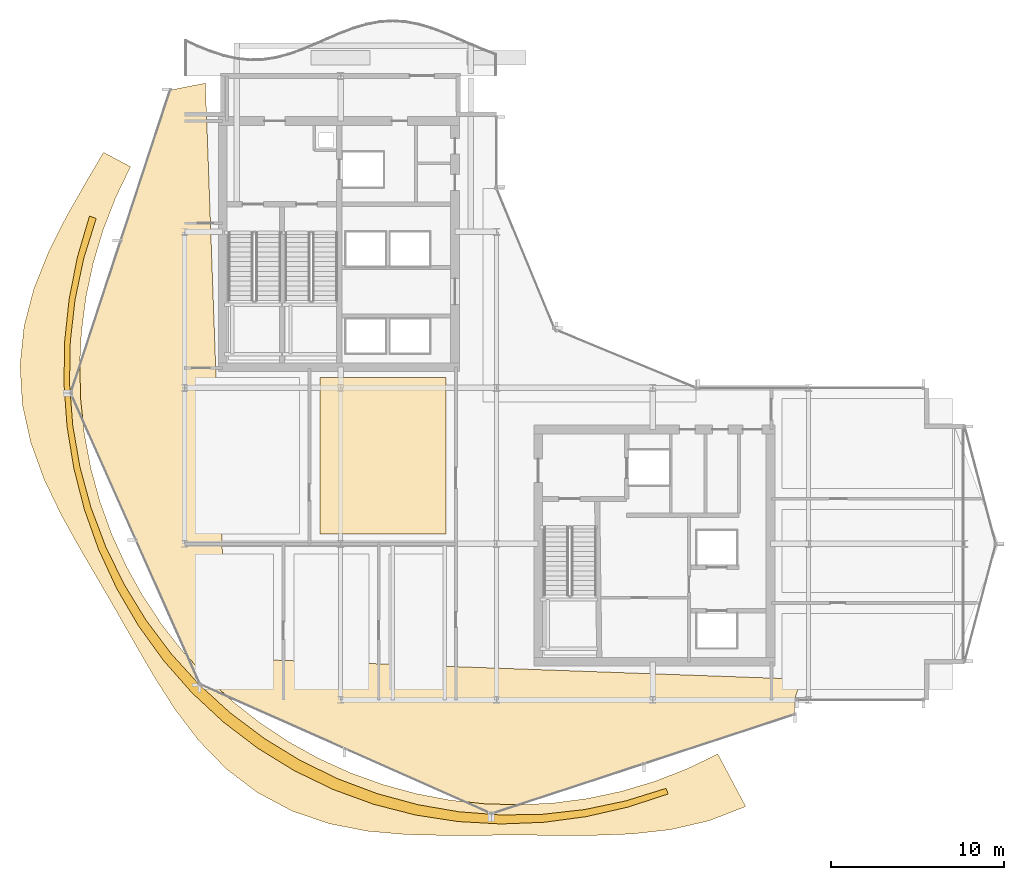
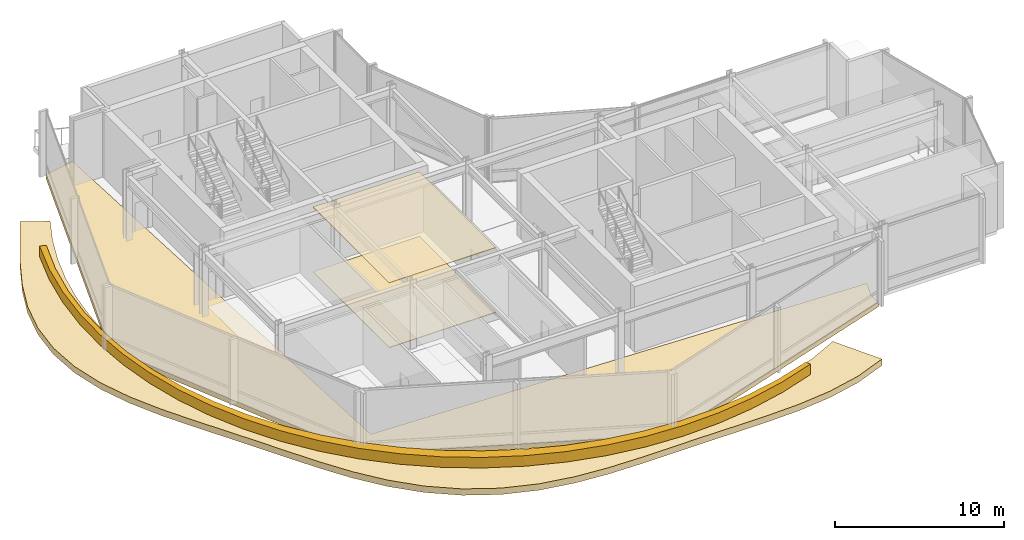
# One storey, part 25 of 29: 5 coverings.
"""IFC4 building model written with IfcOpenShell, lengths in metres."""

from ifc_helpers import new_model, si_unit, direction, frame, origin, place, context, subcontext, project, spatial, polyline, outline, extrude, material, layer, layer_set, type_object, element, save


model = new_model("IFC4")

# Units and contexts
model_context = context("Model", 3, precision=1e-05, world=origin(), true_north=direction((0.0, 1.0)))
body_context = subcontext(model_context, "Body", "Model", "MODEL_VIEW")
ifc_project = project(units=[si_unit("LENGTHUNIT", "METRE"), si_unit("AREAUNIT", "SQUARE_METRE"), si_unit("VOLUMEUNIT", "CUBIC_METRE"), si_unit("PLANEANGLEUNIT", "RADIAN"), si_unit("MASSUNIT", "GRAM", prefix="KILO")], contexts=[model_context])

# Site, building, storey
site_placement = place(None, origin())
site = spatial("IfcSite", under=ifc_project, at=site_placement, CompositionType="ELEMENT")
building_placement = place(site_placement, origin())
building = spatial("IfcBuilding", under=site, at=building_placement, Name="Solvaryn Broadcast Tower", CompositionType="ELEMENT")
storey_placement = place(building_placement, frame((0.0, 0.0, 169.199951171875)))
storey = spatial("IfcBuildingStorey", under=building, at=storey_placement, Name="L42", CompositionType="ELEMENT", Elevation=169.199951171875)

# Coverings
ifc_material_1 = material(Name="Micro-Perforated Acoustic Gypsum Ceiling", Category="concrete")
ifc_layer_1 = layer(ifc_material_1, 0.0400390625)
ifc_layer_set_1 = layer_set([ifc_layer_1], Name="CV-CEIL-ACOUSTIC")
covering_type_1 = type_object("IfcCoveringType", Name="CV-CEIL-ACOUSTIC", PredefinedType="CEILING", material=ifc_layer_set_1)
covering_1_placement = place(storey_placement, frame((0.0, 0.0, 4.679931640625)))
element("IfcCovering", 1, at=covering_1_placement, inside=storey, type_object=covering_type_1, Name="L42 Room Acoustic Ceiling 2", PredefinedType="CEILING", context=body_context, shape_type="SweptSolid", body=[
    extrude(outline(polyline([(16.800048828125, 18.570068359375), (24.080078125, 18.570068359375), (24.080078125, 27.60009765625), (16.800048828125, 27.60009765625), (16.800048828125, 18.570068359375)])), origin(), (0.0, 0.0, 1.0), 0.0400390625),
])
ifc_material_2 = material(Name="Newsroom Raised Data Access Flooring", Category="steel")
ifc_layer_2 = layer(ifc_material_2, 0.050048828125)
ifc_layer_set_2 = layer_set([ifc_layer_2], Name="CV-FLOOR-RAISED")
covering_type_2 = type_object("IfcCoveringType", Name="CV-FLOOR-RAISED", PredefinedType="FLOORING", material=ifc_layer_set_2)
covering_2_placement = place(storey_placement, origin())
element("IfcCovering", 2, at=covering_2_placement, inside=storey, type_object=covering_type_2, Name="L42 Room Acoustic Floor Finish 2", PredefinedType="FLOORING", context=body_context, shape_type="SweptSolid", body=[
    extrude(outline(polyline([(16.800048828125, 18.570068359375), (24.080078125, 18.570068359375), (24.080078125, 27.60009765625), (16.800048828125, 27.60009765625), (16.800048828125, 18.570068359375)])), origin(), (0.0, 0.0, 1.0), 0.050048828125),
])
ifc_material_3 = material(Name="Glazed Architectural Terracotta Rainscreen Cladding", Category="masonry")
ifc_layer_3 = layer(ifc_material_3, 0.280029296875)
ifc_layer_set_3 = layer_set([ifc_layer_3], Name="CV-TC-CLAD")
covering_type_3 = type_object("IfcCoveringType", Name="CV-TC-CLAD", PredefinedType="CLADDING", material=ifc_layer_set_3)
covering_3_placement = place(storey_placement, origin())
element("IfcCovering", 3, at=covering_3_placement, inside=storey, type_object=covering_type_3, Name="L42 Drum Ring Terrace Planter Parapet", PredefinedType="CLADDING", context=body_context, shape_type="SweptSolid", body=[
    extrude(outline(polyline([(3.511962890625, 36.9130859375), (2.818115234375, 34.552001953125), (2.342041015625, 32.139892578125), (2.08203125, 29.698974609375), (2.0400390625, 27.2451171875), (2.216064453125, 24.7958984375), (2.60888671875, 22.37109375), (3.218994140625, 19.988037109375), (4.044921875, 17.6669921875), (5.083984375, 15.427978515625), (6.3310546875, 13.2919921875), (7.780029296875, 11.281982421875), (9.4189453125, 9.4189453125), (11.237060546875, 7.72509765625), (13.215087890625, 6.218017578125), (15.3359375, 4.916015625), (17.575927734375, 3.8330078125), (19.910888671875, 2.97998046875), (22.31591796875, 2.363037109375), (24.76708984375, 1.985107421875), (27.239013671875, 1.844970703125), (29.7080078125, 1.94091796875), (32.153076171875, 2.26611328125), (34.552978515625, 2.81298828125), (36.89111328125, 3.573974609375), (36.77294921875, 3.89697265625), (34.4580078125, 3.176025390625), (32.0859375, 2.677978515625), (29.677978515625, 2.405029296875), (27.25390625, 2.361083984375), (24.8369140625, 2.5458984375), (22.447998046875, 2.9580078125), (20.10888671875, 3.593994140625), (17.841064453125, 4.447998046875), (15.6630859375, 5.511962890625), (13.594970703125, 6.777099609375), (11.656005859375, 8.23193359375), (9.863037109375, 9.863037109375), (8.23193359375, 11.656005859375), (6.777099609375, 13.594970703125), (5.511962890625, 15.6630859375), (4.447998046875, 17.841064453125), (3.593994140625, 20.10888671875), (2.9580078125, 22.447998046875), (2.5458984375, 24.8369140625), (2.361083984375, 27.25390625), (2.405029296875, 29.677978515625), (2.677978515625, 32.0859375), (3.176025390625, 34.4580078125), (3.89697265625, 36.77294921875), (3.511962890625, 36.9130859375)])), origin(), (0.0, 0.0, 1.0), 0.900146484375),
])
ifc_material_4 = material(Name="Sculpted Architectural Terracotta Wave Fascia", Category="masonry")
ifc_layer_4 = layer(ifc_material_4, 0.340087890625)
ifc_layer_set_4 = layer_set([ifc_layer_4], Name="CV-WAVE-TRAY")
covering_type_4 = type_object("IfcCoveringType", Name="CV-WAVE-TRAY", PredefinedType="CLADDING", material=ifc_layer_set_4)
covering_4_placement = place(storey_placement, frame((0.0, 0.0, -0.300048828125)))
element("IfcCovering", 4, at=covering_4_placement, inside=storey, type_object=covering_type_4, Name="L42 Stepped Cylindrical Drum Floor Apron", PredefinedType="CLADDING", context=body_context, shape_type="SweptSolid", body=[
    extrude(outline(polyline([(10.199951171875, 44.58203125), (8.1630859375, 44.181884765625), (2.43310546875, 26.7060546875), (9.89794921875, 9.89794921875), (26.7060546875, 2.43310546875), (44.181884765625, 8.1630859375), (44.181884765625, 9.0), (44.58203125, 10.199951171875), (11.39990234375, 11.39990234375), (10.199951171875, 44.58203125)])), origin(), (0.0, 0.0, 1.0), 0.330078125),
])
covering_5_placement = place(storey_placement, frame((0.0, 0.0, -0.320068359375)))
element("IfcCovering", 5, at=covering_5_placement, inside=storey, type_object=covering_type_4, Name="L42 Stepped Cylindrical Drum Wave Ring Terrace", PredefinedType="CLADDING", context=body_context, shape_type="SweptSolid", body=[
    extrude(outline(polyline([(4.321044921875, 40.591064453125), (3.23388671875, 38.736083984375), (2.154052734375, 36.8359375), (1.14892578125, 34.85009765625), (0.31201171875, 32.758056640625), (-0.260986328125, 30.56591796875), (-0.49609375, 28.31103515625), (-0.362060546875, 26.048095703125), (0.125, 23.833984375), (0.89892578125, 21.7119140625), (1.867919921875, 19.697998046875), (2.93505859375, 17.778076171875), (4.02490234375, 15.9150390625), (5.096923828125, 14.068115234375), (6.157958984375, 12.202880859375), (7.2529296875, 10.319091796875), (8.447998046875, 8.447998046875), (9.81201171875, 6.657958984375), (11.389892578125, 5.032958984375), (13.193115234375, 3.657958984375), (15.194091796875, 2.593994140625), (17.339111328125, 1.85888671875), (19.55810546875, 1.427978515625), (21.7890625, 1.23193359375), (23.991943359375, 1.18310546875), (26.155029296875, 1.19189453125), (28.2919921875, 1.199951171875), (30.43408203125, 1.18798828125), (32.60693359375, 1.18701171875), (34.820068359375, 1.26708984375), (37.052978515625, 1.51904296875), (39.259033203125, 2.028076171875), (41.37109375, 2.85205078125), (39.760009765625, 5.882080078125), (37.964111328125, 5.01708984375), (36.10400390625, 4.297119140625), (34.193115234375, 3.72802734375), (32.241943359375, 3.31201171875), (30.264892578125, 3.052978515625), (28.27294921875, 2.950927734375), (26.280029296875, 3.009033203125), (24.297119140625, 3.22509765625), (22.337890625, 3.597900390625), (20.4150390625, 4.1259765625), (18.5400390625, 4.804931640625), (16.72509765625, 5.631103515625), (14.98095703125, 6.59912109375), (13.320068359375, 7.701904296875), (11.751953125, 8.93408203125), (10.287109375, 10.287109375), (8.93408203125, 11.751953125), (7.701904296875, 13.320068359375), (6.59912109375, 14.98095703125), (5.631103515625, 16.72509765625), (4.804931640625, 18.5400390625), (4.1259765625, 20.4150390625), (3.597900390625, 22.337890625), (3.22509765625, 24.297119140625), (3.009033203125, 26.280029296875), (2.950927734375, 28.27294921875), (3.052978515625, 30.264892578125), (3.31201171875, 32.241943359375), (3.72802734375, 34.193115234375), (4.297119140625, 36.10400390625), (5.01708984375, 37.964111328125), (5.882080078125, 39.760009765625), (4.321044921875, 40.591064453125)])), origin(), (0.0, 0.0, 1.0), 0.460205078125),
])

save(model, "model.ifc")
